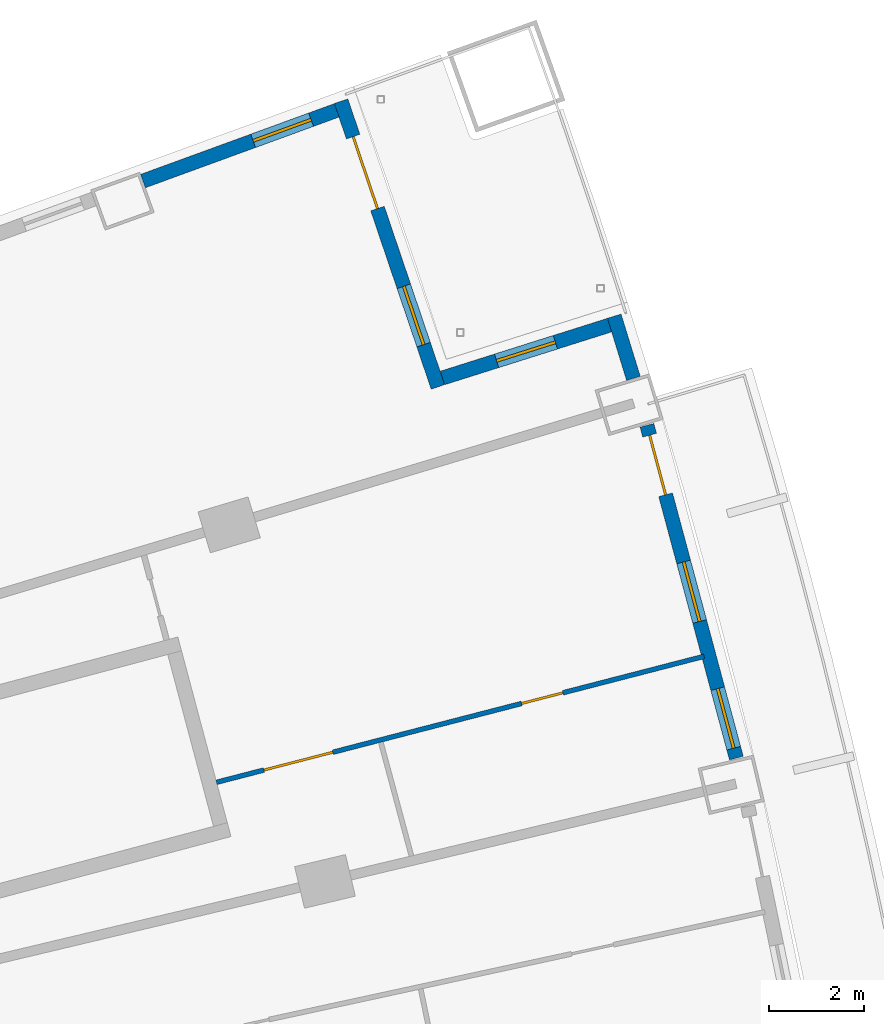
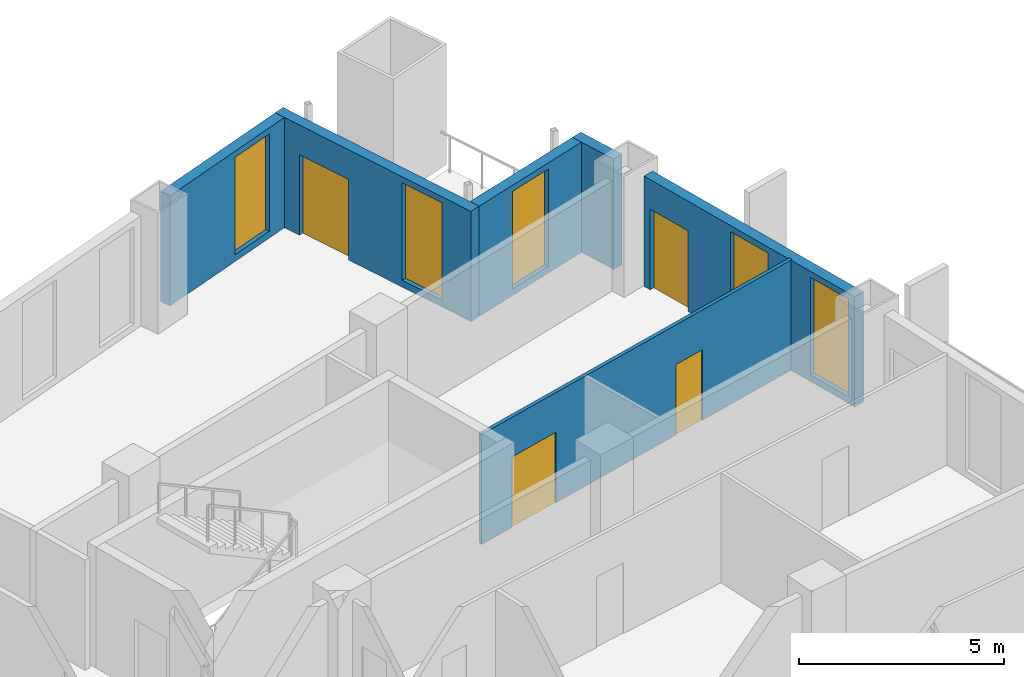
# One storey, part 21 of 25: 6 walls, 5 windows, 4 doors, 9 openings.
"""IFC4 building model written with IfcOpenShell, lengths in metres."""

from ifc_helpers import new_model, si_unit, direction, frame, frame_2d, origin, place, context, subcontext, project, spatial, rectangle, extrude, material, layer, layer_set, type_object, element, fill, save


model = new_model("IFC4")

# Units and contexts
model_context = context("Model", 3, precision=1e-05, world=origin(), true_north=direction((0.0, 1.0)))
body_context = subcontext(model_context, "Body", "Model", "MODEL_VIEW")
ifc_project = project(units=[si_unit("LENGTHUNIT", "METRE"), si_unit("AREAUNIT", "SQUARE_METRE"), si_unit("VOLUMEUNIT", "CUBIC_METRE"), si_unit("PLANEANGLEUNIT", "RADIAN"), si_unit("MASSUNIT", "GRAM", prefix="KILO")], contexts=[model_context])

# Site, building, storey
site_placement = place(None, origin())
site = spatial("IfcSite", under=ifc_project, at=site_placement, CompositionType="ELEMENT")
building_placement = place(site_placement, origin())
building = spatial("IfcBuilding", under=site, at=building_placement, Name="Alderwake Tower", CompositionType="ELEMENT")
storey_placement = place(building_placement, frame((0.0, 0.0, 68.0)))
storey = spatial("IfcBuildingStorey", under=building, at=storey_placement, Name="L16", CompositionType="ELEMENT", Elevation=68.0)

# Wall, openings, door, windows
ifc_material_1 = material(Name="Precast concrete C50/60 spandrel panel", Category="concrete")
ifc_layer_1 = layer(ifc_material_1, 0.300048828125)
ifc_layer_set_1 = layer_set([ifc_layer_1], Name="External wall EW1 Precast concrete C50/60 spandrel")
wall_type_1 = type_object("IfcWallType", Name="External wall EW1 Precast concrete C50/60 spandrel", PredefinedType="SOLIDWALL", material=ifc_layer_set_1)
wall_1_placement = place(storey_placement, frame((58.45361328125, 94.444091796875, 0.0), z_axis=(0.0, 0.0, 1.0), x_axis=(-0.259495836826, 0.96574422632, 0.0)))
wall_1 = element("IfcWall", 1, at=wall_1_placement, inside=storey, type_object=wall_type_1, Name="External wall 21", PredefinedType="SOLIDWALL", context=body_context, shape_type="SweptSolid", body=[
    extrude(rectangle(XDim=7.259521484375, YDim=0.300048828125, at=frame_2d((3.6298828125, 0.0))), origin(), (0.0, 0.0, 1.0), 3.280029296875),
])
opening_1_placement = place(wall_1_placement, frame((0.215087890625, 0.0, 0.199951171875)))
opening_1 = element("IfcOpeningElement", 2, at=opening_1_placement, cuts=wall_1, Name="Opening W1", PredefinedType="OPENING", context=body_context, shape_type="SweptSolid", body=[
    extrude(rectangle(XDim=1.300048828125, YDim=2.89990234375, at=frame_2d((0.64990234375, 1.449951171875))), frame((0.0, 0.159912109375, 0.0), z_axis=(0.0, -1.0, 0.0), x_axis=(1.0, 0.0, 0.0)), (0.0, 0.0, 1.0), 0.320068359375),
])
opening_2_placement = place(wall_1_placement, frame((2.979736328125, 0.0, 0.199951171875)))
opening_2 = element("IfcOpeningElement", 3, at=opening_2_placement, cuts=wall_1, Name="Opening W1", PredefinedType="OPENING", context=body_context, shape_type="SweptSolid", body=[
    extrude(rectangle(XDim=1.300048828125, YDim=2.89990234375, at=frame_2d((0.64990234375, 1.449951171875))), frame((0.0, 0.159912109375, 0.0), z_axis=(0.0, -1.0, 0.0), x_axis=(1.0, 0.0, 0.0)), (0.0, 0.0, 1.0), 0.320068359375),
])
opening_3_placement = place(wall_1_placement, frame((5.744384765625, 0.0, 0.0)))
opening_3 = element("IfcOpeningElement", 4, at=opening_3_placement, cuts=wall_1, Name="Opening D12", PredefinedType="OPENING", context=body_context, shape_type="SweptSolid", body=[
    extrude(rectangle(XDim=1.300048828125, YDim=2.39990234375, at=frame_2d((0.64990234375, 1.199951171875))), frame((0.0, 0.159912109375, 0.0), z_axis=(0.0, -1.0, 0.0), x_axis=(1.0, 0.0, 0.0)), (0.0, 0.0, 1.0), 0.320068359375),
])
ifc_material_2 = material(Name="Bronze tinted glass in aluminium frame", Category="aluminium")
door_type_1 = type_object("IfcDoorType", Name="Balcony door BD sliding", OperationType="SLIDING_TO_LEFT", PredefinedType="DOOR", material=ifc_material_2)
door_1_placement = place(opening_3_placement, origin())
door_1 = element("IfcDoor", 5, at=door_1_placement, inside=storey, type_object=door_type_1, Name="Door D12", OperationType="SLIDING_TO_LEFT", OverallHeight=2.39990234375, OverallWidth=1.300048828125, PredefinedType="DOOR", context=body_context, shape_type="SweptSolid", body=[
    extrude(rectangle(XDim=1.300048828125, YDim=2.39990234375, at=frame_2d((0.64990234375, 1.199951171875))), frame((0.0, 0.02490234375, 0.0), z_axis=(0.0, -1.0, 0.0), x_axis=(1.0, 0.0, 0.0)), (0.0, 0.0, 1.0), 0.050048828125),
])
fill(opening_3, door_1)
ifc_material_3 = material(Name="Bronze tinted glass in aluminium frame", Category="aluminium")
window_type = type_object("IfcWindowType", Name="Window W1 tall fixed and vent", PartitioningType="DOUBLE_PANEL_VERTICAL", PredefinedType="WINDOW", material=ifc_material_3)
window_1_placement = place(opening_1_placement, origin())
window_1 = element("IfcWindow", 6, at=window_1_placement, inside=storey, type_object=window_type, Name="Window W1 tall fixed and vent", OverallHeight=2.89990234375, OverallWidth=1.300048828125, PartitioningType="DOUBLE_PANEL_VERTICAL", PredefinedType="WINDOW", context=body_context, shape_type="SweptSolid", body=[
    extrude(rectangle(XDim=1.300048828125, YDim=2.89990234375, at=frame_2d((0.64990234375, 1.449951171875))), frame((0.0, 0.030029296875, 0.0), z_axis=(0.0, -1.0, 0.0), x_axis=(1.0, 0.0, 0.0)), (0.0, 0.0, 1.0), 0.06005859375),
])
fill(opening_1, window_1)
window_2_placement = place(opening_2_placement, origin())
window_2 = element("IfcWindow", 7, at=window_2_placement, inside=storey, type_object=window_type, Name="Window W1 tall fixed and vent", OverallHeight=2.89990234375, OverallWidth=1.300048828125, PartitioningType="DOUBLE_PANEL_VERTICAL", PredefinedType="WINDOW", context=body_context, shape_type="SweptSolid", body=[
    extrude(rectangle(XDim=1.300048828125, YDim=2.89990234375, at=frame_2d((0.64990234375, 1.449951171875))), frame((0.0, 0.030029296875, 0.0), z_axis=(0.0, -1.0, 0.0), x_axis=(1.0, 0.0, 0.0)), (0.0, 0.0, 1.0), 0.06005859375),
])
fill(opening_2, window_2)

# Wall
wall_2_placement = place(storey_placement, frame((56.28466796875, 102.445068359375, 0.0), z_axis=(0.0, 0.0, 1.0), x_axis=(-0.294511238731, 0.955648015883, 0.0)))
element("IfcWall", 8, at=wall_2_placement, inside=storey, type_object=wall_type_1, Name="External wall 22", PredefinedType="SOLIDWALL", context=body_context, shape_type="SweptSolid", body=[
    extrude(rectangle(XDim=1.37109375, YDim=0.300048828125, at=frame_2d((0.685546875, 0.0))), origin(), (0.0, 0.0, 1.0), 3.280029296875),
])

# Wall, opening, window
ifc_material_4 = material(Name="Bronze metal cladding on lightweight framing")
ifc_layer_2 = layer(ifc_material_4, 0.300048828125)
ifc_layer_set_2 = layer_set([ifc_layer_2], Name="External wall EW2 bronze metal cladding")
wall_type_2 = type_object("IfcWallType", Name="External wall EW2 bronze metal cladding", PredefinedType="SOLIDWALL", material=ifc_layer_set_2)
wall_3_placement = place(storey_placement, frame((55.781982421875, 103.56689453125, 0.0), z_axis=(0.0, 0.0, 1.0), x_axis=(-0.953472737628, -0.301479250697, 0.0)))
wall_3 = element("IfcWall", 9, at=wall_3_placement, inside=storey, type_object=wall_type_2, Name="External wall 23", PredefinedType="SOLIDWALL", context=body_context, shape_type="SweptSolid", body=[
    extrude(rectangle(XDim=3.6943359375, YDim=0.300048828125, at=frame_2d((1.84716796875, 0.0))), origin(), (0.0, 0.0, 1.0), 3.280029296875),
])
opening_4_placement = place(wall_3_placement, frame((1.197021484375, 0.0, 0.199951171875)))
opening_4 = element("IfcOpeningElement", 10, at=opening_4_placement, cuts=wall_3, Name="Opening W1", PredefinedType="OPENING", context=body_context, shape_type="SweptSolid", body=[
    extrude(rectangle(XDim=1.300048828125, YDim=2.89990234375, at=frame_2d((0.64990234375, 1.449951171875))), frame((0.0, 0.159912109375, 0.0), z_axis=(0.0, -1.0, 0.0), x_axis=(1.0, 0.0, 0.0)), (0.0, 0.0, 1.0), 0.320068359375),
])
window_3_placement = place(opening_4_placement, origin())
window_3 = element("IfcWindow", 11, at=window_3_placement, inside=storey, type_object=window_type, Name="Window W1 tall fixed and vent", OverallHeight=2.89990234375, OverallWidth=1.300048828125, PartitioningType="DOUBLE_PANEL_VERTICAL", PredefinedType="WINDOW", context=body_context, shape_type="SweptSolid", body=[
    extrude(rectangle(XDim=1.300048828125, YDim=2.89990234375, at=frame_2d((0.64990234375, 1.449951171875))), frame((0.0, 0.030029296875, 0.0), z_axis=(0.0, -1.0, 0.0), x_axis=(1.0, 0.0, 0.0)), (0.0, 0.0, 1.0), 0.06005859375),
])
fill(opening_4, window_3)

# Wall, openings, door, window
wall_4_placement = place(storey_placement, frame((52.164794921875, 102.265869140625, 0.0), z_axis=(0.0, 0.0, 1.0), x_axis=(-0.320924841055, 0.947104664962, 0.0)))
wall_4 = element("IfcWall", 12, at=wall_4_placement, inside=storey, type_object=wall_type_2, Name="External wall 24", PredefinedType="SOLIDWALL", context=body_context, shape_type="SweptSolid", body=[
    extrude(rectangle(XDim=6.356689453125, YDim=0.300048828125, at=frame_2d((3.17822265625, 0.0))), origin(), (0.0, 0.0, 1.0), 3.280029296875),
])
opening_5_placement = place(wall_4_placement, frame((0.939208984375, 0.0, 0.199951171875)))
opening_5 = element("IfcOpeningElement", 13, at=opening_5_placement, cuts=wall_4, Name="Opening W1", PredefinedType="OPENING", context=body_context, shape_type="SweptSolid", body=[
    extrude(rectangle(XDim=1.300048828125, YDim=2.89990234375, at=frame_2d((0.64990234375, 1.449951171875))), frame((0.0, 0.159912109375, 0.0), z_axis=(0.0, -1.0, 0.0), x_axis=(1.0, 0.0, 0.0)), (0.0, 0.0, 1.0), 0.320068359375),
])
opening_6_placement = place(wall_4_placement, frame((3.967529296875, 0.0, 0.0)))
opening_6 = element("IfcOpeningElement", 14, at=opening_6_placement, cuts=wall_4, Name="Opening D13", PredefinedType="OPENING", context=body_context, shape_type="SweptSolid", body=[
    extrude(rectangle(XDim=1.60009765625, YDim=2.39990234375, at=frame_2d((0.800048828125, 1.199951171875))), frame((0.0, 0.159912109375, 0.0), z_axis=(0.0, -1.0, 0.0), x_axis=(1.0, 0.0, 0.0)), (0.0, 0.0, 1.0), 0.320068359375),
])
ifc_material_5 = material(Name="Bronze tinted glass in aluminium frame", Category="aluminium")
door_type_2 = type_object("IfcDoorType", Name="Terrace door TD sliding", OperationType="SLIDING_TO_LEFT", PredefinedType="DOOR", material=ifc_material_5)
door_2_placement = place(opening_6_placement, origin())
door_2 = element("IfcDoor", 15, at=door_2_placement, inside=storey, type_object=door_type_2, Name="Door D13", OperationType="SLIDING_TO_LEFT", OverallHeight=2.39990234375, OverallWidth=1.60009765625, PredefinedType="DOOR", context=body_context, shape_type="SweptSolid", body=[
    extrude(rectangle(XDim=1.60009765625, YDim=2.39990234375, at=frame_2d((0.800048828125, 1.199951171875))), frame((0.0, 0.02490234375, 0.0), z_axis=(0.0, -1.0, 0.0), x_axis=(1.0, 0.0, 0.0)), (0.0, 0.0, 1.0), 0.050048828125),
])
fill(opening_6, door_2)
window_4_placement = place(opening_5_placement, origin())
window_4 = element("IfcWindow", 16, at=window_4_placement, inside=storey, type_object=window_type, Name="Window W1 tall fixed and vent", OverallHeight=2.89990234375, OverallWidth=1.300048828125, PartitioningType="DOUBLE_PANEL_VERTICAL", PredefinedType="WINDOW", context=body_context, shape_type="SweptSolid", body=[
    extrude(rectangle(XDim=1.300048828125, YDim=2.89990234375, at=frame_2d((0.64990234375, 1.449951171875))), frame((0.0, 0.030029296875, 0.0), z_axis=(0.0, -1.0, 0.0), x_axis=(1.0, 0.0, 0.0)), (0.0, 0.0, 1.0), 0.06005859375),
])
fill(opening_5, window_4)

# Wall, opening, window
wall_5_placement = place(storey_placement, frame((50.031982421875, 108.0927734375, 0.0), z_axis=(0.0, 0.0, 1.0), x_axis=(-0.939366224685, -0.342915581333, 0.0)))
wall_5 = element("IfcWall", 17, at=wall_5_placement, inside=storey, type_object=wall_type_2, Name="External wall 25", PredefinedType="SOLIDWALL", context=body_context, shape_type="SweptSolid", body=[
    extrude(rectangle(XDim=4.345703125, YDim=0.300048828125, at=frame_2d((2.1728515625, 0.0))), origin(), (0.0, 0.0, 1.0), 3.280029296875),
])
opening_7_placement = place(wall_5_placement, frame((0.574462890625, 0.0, 0.199951171875)))
opening_7 = element("IfcOpeningElement", 18, at=opening_7_placement, cuts=wall_5, Name="Opening W1", PredefinedType="OPENING", context=body_context, shape_type="SweptSolid", body=[
    extrude(rectangle(XDim=1.300048828125, YDim=2.89990234375, at=frame_2d((0.64990234375, 1.449951171875))), frame((0.0, 0.159912109375, 0.0), z_axis=(0.0, -1.0, 0.0), x_axis=(1.0, 0.0, 0.0)), (0.0, 0.0, 1.0), 0.320068359375),
])
window_5_placement = place(opening_7_placement, origin())
window_5 = element("IfcWindow", 19, at=window_5_placement, inside=storey, type_object=window_type, Name="Window W1 tall fixed and vent", OverallHeight=2.89990234375, OverallWidth=1.300048828125, PartitioningType="DOUBLE_PANEL_VERTICAL", PredefinedType="WINDOW", context=body_context, shape_type="SweptSolid", body=[
    extrude(rectangle(XDim=1.300048828125, YDim=2.89990234375, at=frame_2d((0.64990234375, 1.449951171875))), frame((0.0, 0.030029296875, 0.0), z_axis=(0.0, -1.0, 0.0), x_axis=(1.0, 0.0, 0.0)), (0.0, 0.0, 1.0), 0.06005859375),
])
fill(opening_7, window_5)

# Wall, openings, doors
ifc_material_6 = material(Name="Gypsum board on metal studs")
ifc_layer_3 = layer(ifc_material_6, 0.10009765625)
ifc_layer_set_3 = layer_set([ifc_layer_3], Name="Unit partition 100")
wall_type_3 = type_object("IfcWallType", Name="Unit partition 100", PredefinedType="PARTITIONING", material=ifc_layer_set_3)
wall_6_placement = place(storey_placement, frame((47.4990234375, 93.93310546875, 0.0), z_axis=(0.0, 0.0, 1.0), x_axis=(0.968204383507, 0.250160491999, 0.0)))
wall_6 = element("IfcWall", 20, at=wall_6_placement, inside=storey, type_object=wall_type_3, Name="WL/L16/W79", PredefinedType="PARTITIONING", context=body_context, shape_type="SweptSolid", body=[
    extrude(rectangle(XDim=10.6123046875, YDim=0.10009765625, at=frame_2d((5.30615234375, 0.0))), origin(), (0.0, 0.0, 1.0), 3.280029296875),
])
opening_8_placement = place(wall_6_placement, frame((1.03173828125, 0.0, 0.0)))
opening_8 = element("IfcOpeningElement", 21, at=opening_8_placement, cuts=wall_6, Name="Opening R04-U02.2", PredefinedType="OPENING", context=body_context, shape_type="SweptSolid", body=[
    extrude(rectangle(XDim=1.5, YDim=2.10009765625, at=frame_2d((0.75, 1.050048828125))), frame((0.0, 0.06005859375, 0.0), z_axis=(0.0, -1.0, 0.0), x_axis=(1.0, 0.0, 0.0)), (0.0, 0.0, 1.0), 0.1201171875),
])
opening_9_placement = place(wall_6_placement, frame((6.6376953125, 0.0, 0.0)))
opening_9 = element("IfcOpeningElement", 22, at=opening_9_placement, cuts=wall_6, Name="Opening R04-U02.3", PredefinedType="OPENING", context=body_context, shape_type="SweptSolid", body=[
    extrude(rectangle(XDim=0.89990234375, YDim=2.10009765625, at=frame_2d((0.449951171875, 1.050048828125))), frame((0.0, 0.06005859375, 0.0), z_axis=(0.0, -1.0, 0.0), x_axis=(1.0, 0.0, 0.0)), (0.0, 0.0, 1.0), 0.1201171875),
])
ifc_material_7 = material(Name="Painted timber leaves", Category="wood")
door_type_3 = type_object("IfcDoorType", Name="Double leaf door 1500", OperationType="DOUBLE_DOOR_SINGLE_SWING", PredefinedType="DOOR", material=ifc_material_7)
door_3_placement = place(opening_8_placement, origin())
door_3 = element("IfcDoor", 23, at=door_3_placement, inside=storey, type_object=door_type_3, Name="DR/L16/U02.2", OperationType="DOUBLE_DOOR_SINGLE_SWING", OverallHeight=2.10009765625, OverallWidth=1.5, PredefinedType="DOOR", context=body_context, shape_type="SweptSolid", body=[
    extrude(rectangle(XDim=1.5, YDim=2.10009765625, at=frame_2d((0.75, 1.050048828125))), frame((0.0, 0.02490234375, 0.0), z_axis=(0.0, -1.0, 0.0), x_axis=(1.0, 0.0, 0.0)), (0.0, 0.0, 1.0), 0.050048828125),
])
fill(opening_8, door_3)
ifc_material_8 = material(Name="Painted timber leaf", Category="wood")
door_type_4 = type_object("IfcDoorType", Name="Room door 900", OperationType="SINGLE_SWING_LEFT", PredefinedType="DOOR", material=ifc_material_8)
door_4_placement = place(opening_9_placement, origin())
door_4 = element("IfcDoor", 24, at=door_4_placement, inside=storey, type_object=door_type_4, Name="DR/L16/U02.3", OperationType="SINGLE_SWING_LEFT", OverallHeight=2.10009765625, OverallWidth=0.89990234375, PredefinedType="DOOR", context=body_context, shape_type="SweptSolid", body=[
    extrude(rectangle(XDim=0.89990234375, YDim=2.10009765625, at=frame_2d((0.449951171875, 1.050048828125))), frame((0.0, 0.02490234375, 0.0), z_axis=(0.0, -1.0, 0.0), x_axis=(1.0, 0.0, 0.0)), (0.0, 0.0, 1.0), 0.050048828125),
])
fill(opening_9, door_4)

save(model, "model.ifc")
